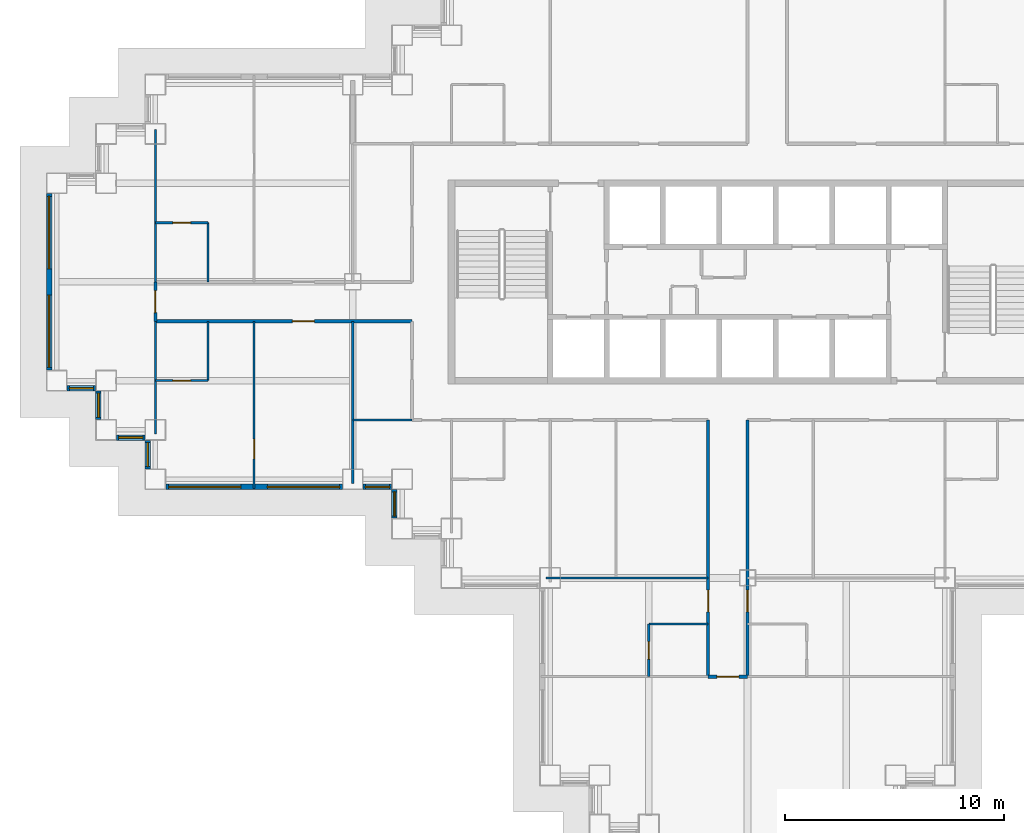
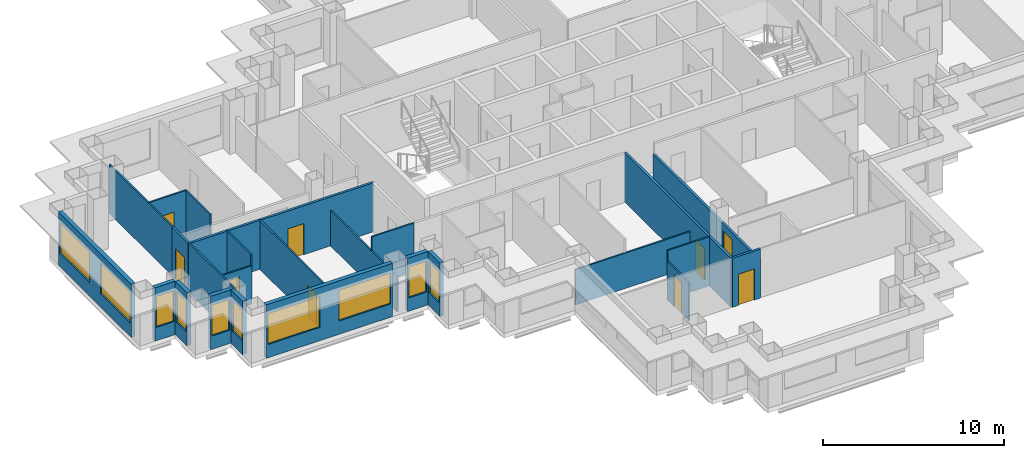
# One storey, part 3 of 14: 25 walls, 10 windows, 9 doors, 19 openings.
"""IFC4 building model written with IfcOpenShell, lengths in metres."""

import ifcopenshell
import ifcopenshell.guid

model = None  # the IFC model being written
_history = None  # IfcOwnerHistory: only IFC2X3 demands one
_inside = {}  # id of a spatial element -> (the spatial element, [elements in it])
_under = {}  # id of a project, library or spatial element -> (it, [spatial elements below it])
_declared = {}  # id of a project -> (the project, [libraries it declares])
_typed = {}  # id of a type object -> (the type object, [elements of that type])
_made_of = {}  # id of a material, layer set ... -> (it, [elements and type objects made of it])


def new_model(schema):
    """Start an empty IFC model of exactly this schema.

    Asked for "IFC4X3", IfcOpenShell would pick the latest addendum, in which some entities
    have other attributes; the version numbers below select the first issue.
    IFC2X3 requires an IfcOwnerHistory on every rooted entity: one is made here for all.
    """
    global model, _history
    if schema == "IFC4X3":
        model = ifcopenshell.file(schema_version=(4, 3, 0, 0))
    else:
        model = ifcopenshell.file(schema=schema)
    _inside.clear()
    _under.clear()
    _declared.clear()
    _typed.clear()
    _made_of.clear()
    _history = None
    if model.schema == "IFC2X3":
        org = make("IfcOrganization", Name="unknown")
        user = make(
            "IfcPersonAndOrganization",
            ThePerson=make("IfcPerson", FamilyName="unknown"),
            TheOrganization=org,
        )
        app = make(
            "IfcApplication",
            ApplicationDeveloper=org,
            Version="unknown",
            ApplicationFullName="unknown",
            ApplicationIdentifier="unknown",
        )
        _history = make(
            "IfcOwnerHistory",
            OwningUser=user,
            OwningApplication=app,
            ChangeAction="ADDED",
            CreationDate=0,
        )
    return model


def make(cls, **values):
    """One entity of the class cls with the attributes given. An attribute that is None is left unset."""
    return model.create_entity(
        cls, **{name: value for name, value in values.items() if value is not None}
    )


def rooted(cls, **values):
    """An entity with a GlobalId (a new one), such as an element, a storey or a relation."""
    return make(cls, GlobalId=ifcopenshell.guid.new(), OwnerHistory=_history, **values)


def si_unit(unit_type, name, prefix=None):
    """IfcSIUnit, for example si_unit("LENGTHUNIT", "METRE", prefix="MILLI")."""
    return make("IfcSIUnit", UnitType=unit_type, Prefix=prefix, Name=name)


def assignment(units):
    """IfcUnitAssignment: the units of a project."""
    return None if units is None else make("IfcUnitAssignment", Units=units)


def point(xyz):
    """IfcCartesianPoint."""
    return None if xyz is None else make("IfcCartesianPoint", Coordinates=xyz)


def direction(xyz):
    """IfcDirection."""
    return None if xyz is None else make("IfcDirection", DirectionRatios=xyz)


def frame(location, z_axis=None, x_axis=None):
    """IfcAxis2Placement3D, a coordinate frame: its origin and axes. An axis left out is left unset."""
    return make(
        "IfcAxis2Placement3D",
        Location=point(location),
        Axis=direction(z_axis),
        RefDirection=direction(x_axis),
    )


def frame_2d(location, x_axis=None):
    """IfcAxis2Placement2D, a coordinate frame in the plane: its origin and x axis."""
    return make(
        "IfcAxis2Placement2D", Location=point(location), RefDirection=direction(x_axis)
    )


def origin():
    """The frame at (0, 0, 0) with its axes left unset."""
    return frame((0.0, 0.0, 0.0))


def place(relative_to, where):
    """IfcLocalPlacement: puts the frame where relative to a parent placement (None: the world)."""
    return make(
        "IfcLocalPlacement", PlacementRelTo=relative_to, RelativePlacement=where
    )


def context(
    kind, dimensions, precision=None, world=None, true_north=None, identifier=None
):
    """IfcGeometricRepresentationContext, for example the 3D "Model" context."""
    return make(
        "IfcGeometricRepresentationContext",
        ContextIdentifier=identifier,
        ContextType=kind,
        CoordinateSpaceDimension=dimensions,
        Precision=precision,
        WorldCoordinateSystem=world,
        TrueNorth=true_north,
    )


def subcontext(parent, identifier, kind, view, scale=None):
    """IfcGeometricRepresentationSubContext, for example "Body" below "Model"."""
    return make(
        "IfcGeometricRepresentationSubContext",
        ContextIdentifier=identifier,
        ContextType=kind,
        ParentContext=parent,
        TargetScale=scale,
        TargetView=view,
    )


def project(units=None, contexts=None):
    """IfcProject with its units and contexts."""
    return rooted(
        "IfcProject",
        Name="project",
        RepresentationContexts=contexts,
        UnitsInContext=assignment(units),
    )


def spatial(cls, under=None, at=None, **own):
    """A site, building, storey or space (cls), placed at a placement, below another one or the project."""
    s = rooted(cls, ObjectPlacement=at, **own)
    if under is not None:
        _under.setdefault(under.id(), (under, []))[1].append(s)
    return s


def profile(cls, at=None, kind="AREA", **sizes):
    """A parametric profile (cls). Its sizes go by their IFC names, for example OverallWidth=200.0."""
    return make(cls, ProfileType=kind, Position=at, **sizes)


def rectangle(**sizes):
    """IfcRectangleProfileDef."""
    return profile("IfcRectangleProfileDef", **sizes)


def extrude(swept, where, along, depth):
    """IfcExtrudedAreaSolid: the profile swept, set in the frame where, extruded along a direction by depth."""
    return make(
        "IfcExtrudedAreaSolid",
        SweptArea=swept,
        Position=where,
        ExtrudedDirection=direction(along),
        Depth=depth,
    )


def shape(context_of_items, identifier, shape_type, items):
    """IfcShapeRepresentation: the items that make up one representation, for example the "Body"."""
    return make(
        "IfcShapeRepresentation",
        ContextOfItems=context_of_items,
        RepresentationIdentifier=identifier,
        RepresentationType=shape_type,
        Items=items,
    )


def material(Name=None, Category=None):
    """IfcMaterial."""
    return make("IfcMaterial", Name=Name, Category=Category)


def layer(
    of_material, thickness, ventilated=None, Name=None, Category=None, Priority=None
):
    """IfcMaterialLayer: one layer of a wall or slab, of a material (None: an air gap)."""
    return make(
        "IfcMaterialLayer",
        Material=of_material,
        LayerThickness=thickness,
        IsVentilated=ventilated,
        Name=Name,
        Category=Category,
        Priority=Priority,
    )


def layer_set(layers, Name=None):
    """IfcMaterialLayerSet."""
    return make("IfcMaterialLayerSet", MaterialLayers=layers, LayerSetName=Name)


def made_of(thing, what):
    """Note that an element or type object is made of a material, layer set ...; save() writes the relation."""
    if what is not None:
        _made_of.setdefault(what.id(), (what, []))[1].append(thing)
    return thing


def type_object(cls, material=None, **own):
    """A type object (cls), such as IfcWallType, which elements share."""
    return made_of(rooted(cls, **own), material)


def element(
    cls,
    number,
    at=None,
    inside=None,
    cuts=None,
    type_object=None,
    material=None,
    context=None,
    identifier="Body",
    shape_type=None,
    held_by="IfcProductDefinitionShape",
    body=None,
    shapes=None,
    **own,
):
    """One element of the class cls, such as IfcWall. Its Tag is "e" and its number.

    at: its placement. inside: the storey or other place that contains it. cuts: it is an
    opening in that element (IfcRelVoidsElement). A single representation is given by context,
    identifier, shape_type and body (its items); several are given by shapes. held_by: the class
    of the entity that holds the representations. save() writes the other relations.
    """
    e = rooted(cls, Tag="e%d" % number, ObjectPlacement=at, **own)
    if body is not None:
        shapes = [shape(context, identifier, shape_type, body)]
    if shapes is not None:
        e.Representation = make(held_by, Representations=shapes)
    if inside is not None:
        _inside.setdefault(inside.id(), (inside, []))[1].append(e)
    if cuts is not None:
        rooted(
            "IfcRelVoidsElement", RelatingBuildingElement=cuts, RelatedOpeningElement=e
        )
    if type_object is not None:
        _typed.setdefault(type_object.id(), (type_object, []))[1].append(e)
    return made_of(e, material)


def fill(opening, filler):
    """IfcRelFillsElement: the door or window that sits in an opening."""
    return rooted(
        "IfcRelFillsElement",
        RelatingOpeningElement=opening,
        RelatedBuildingElement=filler,
    )


def aggregate(whole, parts):
    """IfcRelAggregates: a whole, such as a stair, and the parts it consists of."""
    return rooted("IfcRelAggregates", RelatingObject=whole, RelatedObjects=parts)


def save(model, path):
    """Write the relations noted so far, then the file.

    IfcRelAggregates (storeys below a building ...), IfcRelContainedInSpatialStructure (elements
    in a storey), IfcRelDefinesByType, IfcRelAssociatesMaterial and IfcRelDeclares: one each for
    every whole, place, type object, material and project.
    """
    for whole, parts in _under.values():
        aggregate(whole, parts)
    for where, things in _inside.values():
        rooted(
            "IfcRelContainedInSpatialStructure",
            RelatedElements=things,
            RelatingStructure=where,
        )
    for kind, things in _typed.values():
        rooted("IfcRelDefinesByType", RelatedObjects=things, RelatingType=kind)
    for what, things in _made_of.values():
        rooted("IfcRelAssociatesMaterial", RelatedObjects=things, RelatingMaterial=what)
    for by, libraries in _declared.values():
        rooted("IfcRelDeclares", RelatingContext=by, RelatedDefinitions=libraries)
    model.write(path)


model = new_model("IFC4")

# Units and contexts
model_context = context("Model", 3, precision=1e-05, world=origin(), true_north=direction((0.0, 1.0)))
body_context = subcontext(model_context, "Body", "Model", "MODEL_VIEW")
ifc_project = project(units=[si_unit("LENGTHUNIT", "METRE"), si_unit("AREAUNIT", "SQUARE_METRE"), si_unit("VOLUMEUNIT", "CUBIC_METRE"), si_unit("PLANEANGLEUNIT", "RADIAN"), si_unit("MASSUNIT", "GRAM", prefix="KILO")], contexts=[model_context])

# Site, building, storey
site_placement = place(None, origin())
site = spatial("IfcSite", under=ifc_project, at=site_placement, CompositionType="ELEMENT")
building_placement = place(site_placement, origin())
building = spatial("IfcBuilding", under=site, at=building_placement, Name="Caravel Reach Hotel and Residences", CompositionType="ELEMENT")
storey_placement = place(building_placement, frame((0.0, 0.0, 88.800048828125)))
storey = spatial("IfcBuildingStorey", under=building, at=storey_placement, Name="L21", CompositionType="ELEMENT", Elevation=88.800048828125)

# Wall
ifc_material_1 = material(Name="Gypsum board on steel stud", Category="steel")
ifc_layer_1 = layer(ifc_material_1, 0.10009765625)
ifc_layer_set_1 = layer_set([ifc_layer_1], Name="Bathroom pod wall 100 mm")
wall_type_1 = type_object("IfcWallType", Name="Bathroom pod wall 100 mm", PredefinedType="PARTITIONING", material=ifc_layer_set_1)
wall_1_placement = place(storey_placement, frame((27.0, 11.39990234375, 0.0), z_axis=(0.0, 0.0, 1.0), x_axis=(1.0, 0.0, 0.0)))
element("IfcWall", 1, at=wall_1_placement, inside=storey, type_object=wall_type_1, Name="L21 wall w072", PredefinedType="PARTITIONING", context=body_context, shape_type="SweptSolid", body=[
    extrude(rectangle(XDim=2.699951171875, YDim=0.10009765625, at=frame_2d((1.35009765625, 0.0))), origin(), (0.0, 0.0, 1.0), 3.300048828125),
])

# Wall, opening, door
wall_2_placement = place(storey_placement, frame((4.5, 22.5, 0.0), z_axis=(0.0, 0.0, 1.0), x_axis=(1.0, 0.0, 0.0)))
wall_2 = element("IfcWall", 2, at=wall_2_placement, inside=storey, type_object=wall_type_1, Name="L21 wall w075", PredefinedType="PARTITIONING", context=body_context, shape_type="SweptSolid", body=[
    extrude(rectangle(XDim=2.39990234375, YDim=0.10009765625, at=frame_2d((1.199951171875, 0.0))), origin(), (0.0, 0.0, 1.0), 2.579833984375),
])
opening_1_placement = place(wall_2_placement, frame((0.800048828125, 0.0, 0.0)))
opening_1 = element("IfcOpeningElement", 3, at=opening_1_placement, cuts=wall_2, Name="Opening D21-018", PredefinedType="OPENING", context=body_context, shape_type="SweptSolid", body=[
    extrude(rectangle(XDim=0.800048828125, YDim=2.10009765625, at=frame_2d((0.39990234375, 1.050048828125))), frame((0.0, 0.06005859375, 0.0), z_axis=(0.0, -1.0, 0.0), x_axis=(1.0, 0.0, 0.0)), (0.0, 0.0, 1.0), 0.1201171875),
])
ifc_material_2 = material(Name="Timber and steel door leaf", Category="steel")
door_type_1 = type_object("IfcDoorType", Name="Bathroom door 800 x 2100", OperationType="SINGLE_SWING_LEFT", PredefinedType="DOOR", material=ifc_material_2)
door_1_placement = place(opening_1_placement, origin())
door_1 = element("IfcDoor", 4, at=door_1_placement, inside=storey, type_object=door_type_1, Name="door D21-018", OperationType="SINGLE_SWING_RIGHT", OverallHeight=2.10009765625, OverallWidth=0.800048828125, PredefinedType="DOOR", context=body_context, shape_type="SweptSolid", body=[
    extrude(rectangle(XDim=0.800048828125, YDim=2.10009765625, at=frame_2d((0.39990234375, 1.050048828125))), frame((0.0, 0.02490234375, 0.0), z_axis=(0.0, -1.0, 0.0), x_axis=(1.0, 0.0, 0.0)), (0.0, 0.0, 1.0), 0.050048828125),
])
fill(opening_1, door_1)

wall_3_placement = place(storey_placement, frame((4.5, 29.699951171875, 0.0), z_axis=(0.0, 0.0, 1.0), x_axis=(1.0, 0.0, 0.0)))
wall_3 = element("IfcWall", 5, at=wall_3_placement, inside=storey, type_object=wall_type_1, Name="L21 wall w077", PredefinedType="PARTITIONING", context=body_context, shape_type="SweptSolid", body=[
    extrude(rectangle(XDim=2.39990234375, YDim=0.10009765625, at=frame_2d((1.199951171875, 0.0))), origin(), (0.0, 0.0, 1.0), 3.300048828125),
])
opening_2_placement = place(wall_3_placement, frame((0.800048828125, 0.0, 0.0)))
opening_2 = element("IfcOpeningElement", 6, at=opening_2_placement, cuts=wall_3, Name="Opening D21-021", PredefinedType="OPENING", context=body_context, shape_type="SweptSolid", body=[
    extrude(rectangle(XDim=0.800048828125, YDim=2.10009765625, at=frame_2d((0.39990234375, 1.050048828125))), frame((0.0, 0.06005859375, 0.0), z_axis=(0.0, -1.0, 0.0), x_axis=(1.0, 0.0, 0.0)), (0.0, 0.0, 1.0), 0.1201171875),
])
door_2_placement = place(opening_2_placement, origin())
door_2 = element("IfcDoor", 7, at=door_2_placement, inside=storey, type_object=door_type_1, Name="door D21-021", OperationType="SINGLE_SWING_RIGHT", OverallHeight=2.10009765625, OverallWidth=0.800048828125, PredefinedType="DOOR", context=body_context, shape_type="SweptSolid", body=[
    extrude(rectangle(XDim=0.800048828125, YDim=2.10009765625, at=frame_2d((0.39990234375, 1.050048828125))), frame((0.0, 0.02490234375, 0.0), z_axis=(0.0, -1.0, 0.0), x_axis=(1.0, 0.0, 0.0)), (0.0, 0.0, 1.0), 0.050048828125),
])
fill(opening_2, door_2)

wall_4_placement = place(storey_placement, frame((27.0, 9.0, 0.0), z_axis=(0.0, 0.0, 1.0), x_axis=(0.0, 1.0, 0.0)))
wall_4 = element("IfcWall", 8, at=wall_4_placement, inside=storey, type_object=wall_type_1, Name="L21 wall w086", PredefinedType="PARTITIONING", context=body_context, shape_type="SweptSolid", body=[
    extrude(rectangle(XDim=2.39990234375, YDim=0.10009765625, at=frame_2d((1.199951171875, 0.0))), origin(), (0.0, 0.0, 1.0), 2.579833984375),
])
opening_3_placement = place(wall_4_placement, frame((0.800048828125, 0.0, 0.0)))
opening_3 = element("IfcOpeningElement", 9, at=opening_3_placement, cuts=wall_4, Name="Opening D21-031", PredefinedType="OPENING", context=body_context, shape_type="SweptSolid", body=[
    extrude(rectangle(XDim=0.800048828125, YDim=2.10009765625, at=frame_2d((0.39990234375, 1.050048828125))), frame((0.0, 0.06005859375, 0.0), z_axis=(0.0, -1.0, 0.0), x_axis=(1.0, 0.0, 0.0)), (0.0, 0.0, 1.0), 0.1201171875),
])
door_3_placement = place(opening_3_placement, origin())
door_3 = element("IfcDoor", 10, at=door_3_placement, inside=storey, type_object=door_type_1, Name="door D21-031", OperationType="SINGLE_SWING_RIGHT", OverallHeight=2.10009765625, OverallWidth=0.800048828125, PredefinedType="DOOR", context=body_context, shape_type="SweptSolid", body=[
    extrude(rectangle(XDim=0.800048828125, YDim=2.10009765625, at=frame_2d((0.39990234375, 1.050048828125))), frame((0.0, 0.02490234375, 0.0), z_axis=(0.0, -1.0, 0.0), x_axis=(1.0, 0.0, 0.0)), (0.0, 0.0, 1.0), 0.050048828125),
])
fill(opening_3, door_3)

# Walls
for number, where, z_axis, x_axis, name in (
    (11, (6.89990234375, 27.0, 0.0), (0.0, 0.0, 1.0), (0.0, 1.0, 0.0), "L21 wall w094"),
    (12, (6.89990234375, 22.5, 0.0), (0.0, 0.0, 1.0), (0.0, 1.0, 0.0), "L21 wall w095"),
):
    element("IfcWall", number, at=place(storey_placement, frame(where, z_axis=z_axis, x_axis=x_axis)), inside=storey, type_object=wall_type_1, Name=name, PredefinedType="PARTITIONING", context=body_context, shape_type="SweptSolid", body=[
        extrude(rectangle(XDim=2.699951171875, YDim=0.10009765625, at=frame_2d((1.35009765625, 0.0))), origin(), (0.0, 0.0, 1.0), 3.300048828125),
    ])

# Wall, opening, door
ifc_material_3 = material(Name="Gypsum board on steel stud, fire-rated", Category="steel")
ifc_layer_2 = layer(ifc_material_3, 0.14990234375)
ifc_layer_set_2 = layer_set([ifc_layer_2], Name="Corridor wall 150 mm EI 60")
wall_type_2 = type_object("IfcWallType", Name="Corridor wall 150 mm EI 60", PredefinedType="PARTITIONING", material=ifc_layer_set_2)
wall_5_placement = place(storey_placement, frame((4.5, 25.199951171875, 0.0), z_axis=(0.0, 0.0, 1.0), x_axis=(1.0, 0.0, 0.0)))
wall_5 = element("IfcWall", 13, at=wall_5_placement, inside=storey, type_object=wall_type_2, Name="L21 wall w009", PredefinedType="PARTITIONING", context=body_context, shape_type="SweptSolid", body=[
    extrude(rectangle(XDim=11.699951171875, YDim=0.14990234375, at=frame_2d((5.85009765625, 0.0))), origin(), (0.0, 0.0, 1.0), 3.300048828125),
])
opening_4_placement = place(wall_5_placement, frame((6.25, 0.0, 0.0)))
opening_4 = element("IfcOpeningElement", 14, at=opening_4_placement, cuts=wall_5, Name="Opening D21-016", PredefinedType="OPENING", context=body_context, shape_type="SweptSolid", body=[
    extrude(rectangle(XDim=1.0, YDim=2.10009765625, at=frame_2d((0.5, 1.050048828125))), frame((0.0, 0.0849609375, 0.0), z_axis=(0.0, -1.0, 0.0), x_axis=(1.0, 0.0, 0.0)), (0.0, 0.0, 1.0), 0.169921875),
])
ifc_material_4 = material(Name="Steel fire door leaf", Category="steel")
door_type_2 = type_object("IfcDoorType", Name="Guest room door 1000 x 2100 EI 30", OperationType="SINGLE_SWING_LEFT", PredefinedType="DOOR", material=ifc_material_4)
door_4_placement = place(opening_4_placement, origin())
door_4 = element("IfcDoor", 15, at=door_4_placement, inside=storey, type_object=door_type_2, Name="door D21-016", OperationType="SINGLE_SWING_RIGHT", OverallHeight=2.10009765625, OverallWidth=1.0, PredefinedType="DOOR", context=body_context, shape_type="SweptSolid", body=[
    extrude(rectangle(XDim=1.0, YDim=2.10009765625, at=frame_2d((0.5, 1.050048828125))), frame((0.0, 0.02490234375, 0.0), z_axis=(0.0, -1.0, 0.0), x_axis=(1.0, 0.0, 0.0)), (0.0, 0.0, 1.0), 0.050048828125),
])
fill(opening_4, door_4)

wall_6_placement = place(storey_placement, frame((29.699951171875, 9.0, 0.0), z_axis=(0.0, 0.0, 1.0), x_axis=(1.0, 0.0, 0.0)))
wall_6 = element("IfcWall", 16, at=wall_6_placement, inside=storey, type_object=wall_type_2, Name="L21 wall w023", PredefinedType="PARTITIONING", context=body_context, shape_type="SweptSolid", body=[
    extrude(rectangle(XDim=1.800048828125, YDim=0.14990234375, at=frame_2d((0.89990234375, 0.0))), origin(), (0.0, 0.0, 1.0), 3.300048828125),
])
opening_5_placement = place(wall_6_placement, frame((0.39990234375, 0.0, 0.0)))
opening_5 = element("IfcOpeningElement", 17, at=opening_5_placement, cuts=wall_6, Name="Opening D21-037", PredefinedType="OPENING", context=body_context, shape_type="SweptSolid", body=[
    extrude(rectangle(XDim=1.0, YDim=2.10009765625, at=frame_2d((0.5, 1.050048828125))), frame((0.0, 0.0849609375, 0.0), z_axis=(0.0, -1.0, 0.0), x_axis=(1.0, 0.0, 0.0)), (0.0, 0.0, 1.0), 0.169921875),
])
door_5_placement = place(opening_5_placement, origin())
door_5 = element("IfcDoor", 18, at=door_5_placement, inside=storey, type_object=door_type_2, Name="door D21-037", OperationType="SINGLE_SWING_RIGHT", OverallHeight=2.10009765625, OverallWidth=1.0, PredefinedType="DOOR", context=body_context, shape_type="SweptSolid", body=[
    extrude(rectangle(XDim=1.0, YDim=2.10009765625, at=frame_2d((0.5, 1.050048828125))), frame((0.0, 0.02490234375, 0.0), z_axis=(0.0, -1.0, 0.0), x_axis=(1.0, 0.0, 0.0)), (0.0, 0.0, 1.0), 0.050048828125),
])
fill(opening_5, door_5)

wall_7_placement = place(storey_placement, frame((29.699951171875, 9.0, 0.0), z_axis=(0.0, 0.0, 1.0), x_axis=(0.0, 1.0, 0.0)))
wall_7 = element("IfcWall", 19, at=wall_7_placement, inside=storey, type_object=wall_type_2, Name="L21 wall w026", PredefinedType="PARTITIONING", context=body_context, shape_type="SweptSolid", body=[
    extrude(rectangle(XDim=11.699951171875, YDim=0.14990234375, at=frame_2d((5.85009765625, 0.0))), origin(), (0.0, 0.0, 1.0), 3.300048828125),
])
opening_6_placement = place(wall_7_placement, frame((2.949951171875, 0.0, 0.0)))
opening_6 = element("IfcOpeningElement", 20, at=opening_6_placement, cuts=wall_7, Name="Opening D21-030", PredefinedType="OPENING", context=body_context, shape_type="SweptSolid", body=[
    extrude(rectangle(XDim=1.0, YDim=2.10009765625, at=frame_2d((0.5, 1.050048828125))), frame((0.0, 0.0849609375, 0.0), z_axis=(0.0, -1.0, 0.0), x_axis=(1.0, 0.0, 0.0)), (0.0, 0.0, 1.0), 0.169921875),
])
door_6_placement = place(opening_6_placement, origin())
door_6 = element("IfcDoor", 21, at=door_6_placement, inside=storey, type_object=door_type_2, Name="door D21-030", OperationType="SINGLE_SWING_RIGHT", OverallHeight=2.10009765625, OverallWidth=1.0, PredefinedType="DOOR", context=body_context, shape_type="SweptSolid", body=[
    extrude(rectangle(XDim=1.0, YDim=2.10009765625, at=frame_2d((0.5, 1.050048828125))), frame((0.0, 0.02490234375, 0.0), z_axis=(0.0, -1.0, 0.0), x_axis=(1.0, 0.0, 0.0)), (0.0, 0.0, 1.0), 0.050048828125),
])
fill(opening_6, door_6)

wall_8_placement = place(storey_placement, frame((31.5, 9.0, 0.0), z_axis=(0.0, 0.0, 1.0), x_axis=(0.0, 1.0, 0.0)))
wall_8 = element("IfcWall", 22, at=wall_8_placement, inside=storey, type_object=wall_type_2, Name="L21 wall w029", PredefinedType="PARTITIONING", context=body_context, shape_type="SweptSolid", body=[
    extrude(rectangle(XDim=11.699951171875, YDim=0.14990234375, at=frame_2d((5.85009765625, 0.0))), origin(), (0.0, 0.0, 1.0), 2.579833984375),
])
opening_7_placement = place(wall_8_placement, frame((2.949951171875, 0.0, 0.0)))
opening_7 = element("IfcOpeningElement", 23, at=opening_7_placement, cuts=wall_8, Name="Opening D21-032", PredefinedType="OPENING", context=body_context, shape_type="SweptSolid", body=[
    extrude(rectangle(XDim=1.0, YDim=2.10009765625, at=frame_2d((0.5, 1.050048828125))), frame((0.0, 0.0849609375, 0.0), z_axis=(0.0, -1.0, 0.0), x_axis=(1.0, 0.0, 0.0)), (0.0, 0.0, 1.0), 0.169921875),
])
door_7_placement = place(opening_7_placement, origin())
door_7 = element("IfcDoor", 24, at=door_7_placement, inside=storey, type_object=door_type_2, Name="door D21-032", OperationType="SINGLE_SWING_RIGHT", OverallHeight=2.10009765625, OverallWidth=1.0, PredefinedType="DOOR", context=body_context, shape_type="SweptSolid", body=[
    extrude(rectangle(XDim=1.0, YDim=2.10009765625, at=frame_2d((0.5, 1.050048828125))), frame((0.0, 0.02490234375, 0.0), z_axis=(0.0, -1.0, 0.0), x_axis=(1.0, 0.0, 0.0)), (0.0, 0.0, 1.0), 0.050048828125),
])
fill(opening_7, door_7)

wall_9_placement = place(storey_placement, frame((4.5, 25.199951171875, 0.0), z_axis=(0.0, 0.0, 1.0), x_axis=(0.0, 1.0, 0.0)))
wall_9 = element("IfcWall", 25, at=wall_9_placement, inside=storey, type_object=wall_type_2, Name="L21 wall w034", PredefinedType="PARTITIONING", context=body_context, shape_type="SweptSolid", body=[
    extrude(rectangle(XDim=1.800048828125, YDim=0.14990234375, at=frame_2d((0.89990234375, 0.0))), origin(), (0.0, 0.0, 1.0), 3.300048828125),
])
opening_8_placement = place(wall_9_placement, frame((0.39990234375, 0.0, 0.0)))
opening_8 = element("IfcOpeningElement", 26, at=opening_8_placement, cuts=wall_9, Name="Opening D21-034", PredefinedType="OPENING", context=body_context, shape_type="SweptSolid", body=[
    extrude(rectangle(XDim=1.0, YDim=2.10009765625, at=frame_2d((0.5, 1.050048828125))), frame((0.0, 0.0849609375, 0.0), z_axis=(0.0, -1.0, 0.0), x_axis=(1.0, 0.0, 0.0)), (0.0, 0.0, 1.0), 0.169921875),
])
door_8_placement = place(opening_8_placement, origin())
door_8 = element("IfcDoor", 27, at=door_8_placement, inside=storey, type_object=door_type_2, Name="door D21-034", OperationType="SINGLE_SWING_LEFT", OverallHeight=2.10009765625, OverallWidth=1.0, PredefinedType="DOOR", context=body_context, shape_type="SweptSolid", body=[
    extrude(rectangle(XDim=1.0, YDim=2.10009765625, at=frame_2d((0.5, 1.050048828125))), frame((0.0, 0.02490234375, 0.0), z_axis=(0.0, -1.0, 0.0), x_axis=(1.0, 0.0, 0.0)), (0.0, 0.0, 1.0), 0.050048828125),
])
fill(opening_8, door_8)

# Wall, openings, windows
ifc_material_5 = material(Name="Insulated rainscreen wall, aluminium cladding", Category="aluminium")
ifc_layer_3 = layer(ifc_material_5, 0.25)
ifc_layer_set_3 = layer_set([ifc_layer_3], Name="EW1 Tower rainscreen wall")
wall_type_3 = type_object("IfcWallType", Name="EW1 Tower rainscreen wall", PredefinedType="SOLIDWALL", material=ifc_layer_set_3)
wall_10_placement = place(storey_placement, frame((-0.35009765625, 31.02490234375, 0.0), z_axis=(0.0, 0.0, 1.0), x_axis=(0.0, -1.0, 0.0)))
wall_10 = element("IfcWall", 28, at=wall_10_placement, inside=storey, type_object=wall_type_3, Name="External wall L21 W50.1", PredefinedType="SOLIDWALL", context=body_context, shape_type="SweptSolid", body=[
    extrude(rectangle(XDim=8.0498046875, YDim=0.25, at=frame_2d((4.02490234375, 0.0))), origin(), (0.0, 0.0, 1.0), 3.599853515625),
])
opening_9_placement = place(wall_10_placement, frame((0.125, 0.0, 0.89990234375)))
opening_9 = element("IfcOpeningElement", 29, at=opening_9_placement, cuts=wall_10, Name="Opening WN4", PredefinedType="OPENING", context=body_context, shape_type="SweptSolid", body=[
    extrude(rectangle(XDim=3.300048828125, YDim=2.080078125, at=frame_2d((1.64990234375, 1.0400390625))), frame((0.0, 0.135009765625, 0.0), z_axis=(0.0, -1.0, 0.0), x_axis=(1.0, 0.0, 0.0)), (0.0, 0.0, 1.0), 0.27001953125),
])
opening_10_placement = place(wall_10_placement, frame((4.625, 0.0, 0.89990234375)))
opening_10 = element("IfcOpeningElement", 30, at=opening_10_placement, cuts=wall_10, Name="Opening WN4", PredefinedType="OPENING", context=body_context, shape_type="SweptSolid", body=[
    extrude(rectangle(XDim=3.300048828125, YDim=2.080078125, at=frame_2d((1.64990234375, 1.0400390625))), frame((0.0, 0.135009765625, 0.0), z_axis=(0.0, -1.0, 0.0), x_axis=(1.0, 0.0, 0.0)), (0.0, 0.0, 1.0), 0.27001953125),
])
ifc_material_6 = material(Name="Dark low-e glazing in black aluminium frame", Category="aluminium")
window_type_1 = type_object("IfcWindowType", Name="Hotel guest room window 3300 x 2080", PartitioningType="SINGLE_PANEL", PredefinedType="WINDOW", material=ifc_material_6)
window_1_placement = place(opening_9_placement, origin())
window_1 = element("IfcWindow", 31, at=window_1_placement, inside=storey, type_object=window_type_1, Name="Window L21 W50.1.1", OverallHeight=2.080078125, OverallWidth=3.300048828125, PartitioningType="SINGLE_PANEL", PredefinedType="WINDOW", context=body_context, shape_type="SweptSolid", body=[
    extrude(rectangle(XDim=3.300048828125, YDim=2.080078125, at=frame_2d((1.64990234375, 1.0400390625))), frame((0.0, 0.030029296875, 0.0), z_axis=(0.0, -1.0, 0.0), x_axis=(1.0, 0.0, 0.0)), (0.0, 0.0, 1.0), 0.06005859375),
])
fill(opening_9, window_1)
window_2_placement = place(opening_10_placement, origin())
window_2 = element("IfcWindow", 32, at=window_2_placement, inside=storey, type_object=window_type_1, Name="Window L21 W50.1.2", OverallHeight=2.080078125, OverallWidth=3.300048828125, PartitioningType="SINGLE_PANEL", PredefinedType="WINDOW", context=body_context, shape_type="SweptSolid", body=[
    extrude(rectangle(XDim=3.300048828125, YDim=2.080078125, at=frame_2d((1.64990234375, 1.0400390625))), frame((0.0, 0.030029296875, 0.0), z_axis=(0.0, -1.0, 0.0), x_axis=(1.0, 0.0, 0.0)), (0.0, 0.0, 1.0), 0.06005859375),
])
fill(opening_10, window_2)

# Wall, opening, window
wall_11_placement = place(storey_placement, frame((0.47509765625, 22.14990234375, 0.0), z_axis=(0.0, 0.0, 1.0), x_axis=(1.0, 0.0, 0.0)))
wall_11 = element("IfcWall", 33, at=wall_11_placement, inside=storey, type_object=wall_type_3, Name="External wall L21 S51.1", PredefinedType="SOLIDWALL", context=body_context, shape_type="SweptSolid", body=[
    extrude(rectangle(XDim=1.2998046875, YDim=0.25, at=frame_2d((0.64990234375, 0.0))), origin(), (0.0, 0.0, 1.0), 3.599853515625),
])
opening_11_placement = place(wall_11_placement, frame((0.10009765625, 0.0, 0.89990234375)))
opening_11 = element("IfcOpeningElement", 34, at=opening_11_placement, cuts=wall_11, Name="Opening WN5", PredefinedType="OPENING", context=body_context, shape_type="SweptSolid", body=[
    extrude(rectangle(XDim=1.10009765625, YDim=2.080078125, at=frame_2d((0.550048828125, 1.0400390625))), frame((0.0, 0.135009765625, 0.0), z_axis=(0.0, -1.0, 0.0), x_axis=(1.0, 0.0, 0.0)), (0.0, 0.0, 1.0), 0.27001953125),
])
ifc_material_7 = material(Name="Dark low-e glazing in black aluminium frame", Category="aluminium")
window_type_2 = type_object("IfcWindowType", Name="Hotel suite corner window 1100 x 2080", PartitioningType="SINGLE_PANEL", PredefinedType="WINDOW", material=ifc_material_7)
window_3_placement = place(opening_11_placement, origin())
window_3 = element("IfcWindow", 35, at=window_3_placement, inside=storey, type_object=window_type_2, Name="Window L21 S51.1.1", OverallHeight=2.080078125, OverallWidth=1.10009765625, PartitioningType="SINGLE_PANEL", PredefinedType="WINDOW", context=body_context, shape_type="SweptSolid", body=[
    extrude(rectangle(XDim=1.10009765625, YDim=2.080078125, at=frame_2d((0.550048828125, 1.0400390625))), frame((0.0, 0.030029296875, 0.0), z_axis=(0.0, -1.0, 0.0), x_axis=(1.0, 0.0, 0.0)), (0.0, 0.0, 1.0), 0.06005859375),
])
fill(opening_11, window_3)

wall_12_placement = place(storey_placement, frame((1.89990234375, 22.02490234375, 0.0), z_axis=(0.0, 0.0, 1.0), x_axis=(0.0, -1.0, 0.0)))
wall_12 = element("IfcWall", 36, at=wall_12_placement, inside=storey, type_object=wall_type_3, Name="External wall L21 W52.1", PredefinedType="SOLIDWALL", context=body_context, shape_type="SweptSolid", body=[
    extrude(rectangle(XDim=1.2998046875, YDim=0.25, at=frame_2d((0.64990234375, 0.0))), origin(), (0.0, 0.0, 1.0), 3.599853515625),
])
opening_12_placement = place(wall_12_placement, frame((0.10009765625, 0.0, 0.89990234375)))
opening_12 = element("IfcOpeningElement", 37, at=opening_12_placement, cuts=wall_12, Name="Opening WN5", PredefinedType="OPENING", context=body_context, shape_type="SweptSolid", body=[
    extrude(rectangle(XDim=1.10009765625, YDim=2.080078125, at=frame_2d((0.550048828125, 1.0400390625))), frame((0.0, 0.135009765625, 0.0), z_axis=(0.0, -1.0, 0.0), x_axis=(1.0, 0.0, 0.0)), (0.0, 0.0, 1.0), 0.27001953125),
])
window_4_placement = place(opening_12_placement, origin())
window_4 = element("IfcWindow", 38, at=window_4_placement, inside=storey, type_object=window_type_2, Name="Window L21 W52.1.1", OverallHeight=2.080078125, OverallWidth=1.10009765625, PartitioningType="SINGLE_PANEL", PredefinedType="WINDOW", context=body_context, shape_type="SweptSolid", body=[
    extrude(rectangle(XDim=1.10009765625, YDim=2.080078125, at=frame_2d((0.550048828125, 1.0400390625))), frame((0.0, 0.030029296875, 0.0), z_axis=(0.0, -1.0, 0.0), x_axis=(1.0, 0.0, 0.0)), (0.0, 0.0, 1.0), 0.06005859375),
])
fill(opening_12, window_4)

wall_13_placement = place(storey_placement, frame((2.72509765625, 19.89990234375, 0.0), z_axis=(0.0, 0.0, 1.0), x_axis=(1.0, 0.0, 0.0)))
wall_13 = element("IfcWall", 39, at=wall_13_placement, inside=storey, type_object=wall_type_3, Name="External wall L21 S53.1", PredefinedType="SOLIDWALL", context=body_context, shape_type="SweptSolid", body=[
    extrude(rectangle(XDim=1.2998046875, YDim=0.25, at=frame_2d((0.64990234375, 0.0))), origin(), (0.0, 0.0, 1.0), 3.599853515625),
])
opening_13_placement = place(wall_13_placement, frame((0.10009765625, 0.0, 0.89990234375)))
opening_13 = element("IfcOpeningElement", 40, at=opening_13_placement, cuts=wall_13, Name="Opening WN5", PredefinedType="OPENING", context=body_context, shape_type="SweptSolid", body=[
    extrude(rectangle(XDim=1.10009765625, YDim=2.080078125, at=frame_2d((0.550048828125, 1.0400390625))), frame((0.0, 0.135009765625, 0.0), z_axis=(0.0, -1.0, 0.0), x_axis=(1.0, 0.0, 0.0)), (0.0, 0.0, 1.0), 0.27001953125),
])
window_5_placement = place(opening_13_placement, origin())
window_5 = element("IfcWindow", 41, at=window_5_placement, inside=storey, type_object=window_type_2, Name="Window L21 S53.1.1", OverallHeight=2.080078125, OverallWidth=1.10009765625, PartitioningType="SINGLE_PANEL", PredefinedType="WINDOW", context=body_context, shape_type="SweptSolid", body=[
    extrude(rectangle(XDim=1.10009765625, YDim=2.080078125, at=frame_2d((0.550048828125, 1.0400390625))), frame((0.0, 0.030029296875, 0.0), z_axis=(0.0, -1.0, 0.0), x_axis=(1.0, 0.0, 0.0)), (0.0, 0.0, 1.0), 0.06005859375),
])
fill(opening_13, window_5)

wall_14_placement = place(storey_placement, frame((4.14990234375, 19.77490234375, 0.0), z_axis=(0.0, 0.0, 1.0), x_axis=(0.0, -1.0, 0.0)))
wall_14 = element("IfcWall", 42, at=wall_14_placement, inside=storey, type_object=wall_type_3, Name="External wall L21 W54.1", PredefinedType="SOLIDWALL", context=body_context, shape_type="SweptSolid", body=[
    extrude(rectangle(XDim=1.2998046875, YDim=0.25, at=frame_2d((0.64990234375, 0.0))), origin(), (0.0, 0.0, 1.0), 3.599853515625),
])
opening_14_placement = place(wall_14_placement, frame((0.10009765625, 0.0, 0.89990234375)))
opening_14 = element("IfcOpeningElement", 43, at=opening_14_placement, cuts=wall_14, Name="Opening WN5", PredefinedType="OPENING", context=body_context, shape_type="SweptSolid", body=[
    extrude(rectangle(XDim=1.10009765625, YDim=2.080078125, at=frame_2d((0.550048828125, 1.0400390625))), frame((0.0, 0.135009765625, 0.0), z_axis=(0.0, -1.0, 0.0), x_axis=(1.0, 0.0, 0.0)), (0.0, 0.0, 1.0), 0.27001953125),
])
window_6_placement = place(opening_14_placement, origin())
window_6 = element("IfcWindow", 44, at=window_6_placement, inside=storey, type_object=window_type_2, Name="Window L21 W54.1.1", OverallHeight=2.080078125, OverallWidth=1.10009765625, PartitioningType="SINGLE_PANEL", PredefinedType="WINDOW", context=body_context, shape_type="SweptSolid", body=[
    extrude(rectangle(XDim=1.10009765625, YDim=2.080078125, at=frame_2d((0.550048828125, 1.0400390625))), frame((0.0, 0.030029296875, 0.0), z_axis=(0.0, -1.0, 0.0), x_axis=(1.0, 0.0, 0.0)), (0.0, 0.0, 1.0), 0.06005859375),
])
fill(opening_14, window_6)

# Wall, openings, windows
wall_15_placement = place(storey_placement, frame((4.97509765625, 17.64990234375, 0.0), z_axis=(0.0, 0.0, 1.0), x_axis=(1.0, 0.0, 0.0)))
wall_15 = element("IfcWall", 45, at=wall_15_placement, inside=storey, type_object=wall_type_3, Name="External wall L21 S55.1", PredefinedType="SOLIDWALL", context=body_context, shape_type="SweptSolid", body=[
    extrude(rectangle(XDim=8.0498046875, YDim=0.25, at=frame_2d((4.02490234375, 0.0))), origin(), (0.0, 0.0, 1.0), 3.599853515625),
])
opening_15_placement = place(wall_15_placement, frame((0.125, 0.0, 0.89990234375)))
opening_15 = element("IfcOpeningElement", 46, at=opening_15_placement, cuts=wall_15, Name="Opening WN4", PredefinedType="OPENING", context=body_context, shape_type="SweptSolid", body=[
    extrude(rectangle(XDim=3.300048828125, YDim=2.080078125, at=frame_2d((1.64990234375, 1.0400390625))), frame((0.0, 0.135009765625, 0.0), z_axis=(0.0, -1.0, 0.0), x_axis=(1.0, 0.0, 0.0)), (0.0, 0.0, 1.0), 0.27001953125),
])
opening_16_placement = place(wall_15_placement, frame((4.625, 0.0, 0.89990234375)))
opening_16 = element("IfcOpeningElement", 47, at=opening_16_placement, cuts=wall_15, Name="Opening WN4", PredefinedType="OPENING", context=body_context, shape_type="SweptSolid", body=[
    extrude(rectangle(XDim=3.300048828125, YDim=2.080078125, at=frame_2d((1.64990234375, 1.0400390625))), frame((0.0, 0.135009765625, 0.0), z_axis=(0.0, -1.0, 0.0), x_axis=(1.0, 0.0, 0.0)), (0.0, 0.0, 1.0), 0.27001953125),
])
window_7_placement = place(opening_15_placement, origin())
window_7 = element("IfcWindow", 48, at=window_7_placement, inside=storey, type_object=window_type_1, Name="Window L21 S55.1.1", OverallHeight=2.080078125, OverallWidth=3.300048828125, PartitioningType="SINGLE_PANEL", PredefinedType="WINDOW", context=body_context, shape_type="SweptSolid", body=[
    extrude(rectangle(XDim=3.300048828125, YDim=2.080078125, at=frame_2d((1.64990234375, 1.0400390625))), frame((0.0, 0.030029296875, 0.0), z_axis=(0.0, -1.0, 0.0), x_axis=(1.0, 0.0, 0.0)), (0.0, 0.0, 1.0), 0.06005859375),
])
fill(opening_15, window_7)
window_8_placement = place(opening_16_placement, origin())
window_8 = element("IfcWindow", 49, at=window_8_placement, inside=storey, type_object=window_type_1, Name="Window L21 S55.1.2", OverallHeight=2.080078125, OverallWidth=3.300048828125, PartitioningType="SINGLE_PANEL", PredefinedType="WINDOW", context=body_context, shape_type="SweptSolid", body=[
    extrude(rectangle(XDim=3.300048828125, YDim=2.080078125, at=frame_2d((1.64990234375, 1.0400390625))), frame((0.0, 0.030029296875, 0.0), z_axis=(0.0, -1.0, 0.0), x_axis=(1.0, 0.0, 0.0)), (0.0, 0.0, 1.0), 0.06005859375),
])
fill(opening_16, window_8)

# Wall, opening, window
wall_16_placement = place(storey_placement, frame((13.97509765625, 17.64990234375, 0.0), z_axis=(0.0, 0.0, 1.0), x_axis=(1.0, 0.0, 0.0)))
wall_16 = element("IfcWall", 50, at=wall_16_placement, inside=storey, type_object=wall_type_3, Name="External wall L21 S55.2", PredefinedType="SOLIDWALL", context=body_context, shape_type="SweptSolid", body=[
    extrude(rectangle(XDim=1.2998046875, YDim=0.25, at=frame_2d((0.64990234375, 0.0))), origin(), (0.0, 0.0, 1.0), 3.599853515625),
])
opening_17_placement = place(wall_16_placement, frame((0.10009765625, 0.0, 0.89990234375)))
opening_17 = element("IfcOpeningElement", 51, at=opening_17_placement, cuts=wall_16, Name="Opening WN5", PredefinedType="OPENING", context=body_context, shape_type="SweptSolid", body=[
    extrude(rectangle(XDim=1.10009765625, YDim=2.080078125, at=frame_2d((0.550048828125, 1.0400390625))), frame((0.0, 0.135009765625, 0.0), z_axis=(0.0, -1.0, 0.0), x_axis=(1.0, 0.0, 0.0)), (0.0, 0.0, 1.0), 0.27001953125),
])
window_9_placement = place(opening_17_placement, origin())
window_9 = element("IfcWindow", 52, at=window_9_placement, inside=storey, type_object=window_type_2, Name="Window L21 S55.2.1", OverallHeight=2.080078125, OverallWidth=1.10009765625, PartitioningType="SINGLE_PANEL", PredefinedType="WINDOW", context=body_context, shape_type="SweptSolid", body=[
    extrude(rectangle(XDim=1.10009765625, YDim=2.080078125, at=frame_2d((0.550048828125, 1.0400390625))), frame((0.0, 0.030029296875, 0.0), z_axis=(0.0, -1.0, 0.0), x_axis=(1.0, 0.0, 0.0)), (0.0, 0.0, 1.0), 0.06005859375),
])
fill(opening_17, window_9)

wall_17_placement = place(storey_placement, frame((15.39990234375, 17.52490234375, 0.0), z_axis=(0.0, 0.0, 1.0), x_axis=(0.0, -1.0, 0.0)))
wall_17 = element("IfcWall", 53, at=wall_17_placement, inside=storey, type_object=wall_type_3, Name="External wall L21 W56.1", PredefinedType="SOLIDWALL", context=body_context, shape_type="SweptSolid", body=[
    extrude(rectangle(XDim=1.2998046875, YDim=0.25, at=frame_2d((0.64990234375, 0.0))), origin(), (0.0, 0.0, 1.0), 3.599853515625),
])
opening_18_placement = place(wall_17_placement, frame((0.10009765625, 0.0, 0.89990234375)))
opening_18 = element("IfcOpeningElement", 54, at=opening_18_placement, cuts=wall_17, Name="Opening WN5", PredefinedType="OPENING", context=body_context, shape_type="SweptSolid", body=[
    extrude(rectangle(XDim=1.10009765625, YDim=2.080078125, at=frame_2d((0.550048828125, 1.0400390625))), frame((0.0, 0.135009765625, 0.0), z_axis=(0.0, -1.0, 0.0), x_axis=(1.0, 0.0, 0.0)), (0.0, 0.0, 1.0), 0.27001953125),
])
window_10_placement = place(opening_18_placement, origin())
window_10 = element("IfcWindow", 55, at=window_10_placement, inside=storey, type_object=window_type_2, Name="Window L21 W56.1.1", OverallHeight=2.080078125, OverallWidth=1.10009765625, PartitioningType="SINGLE_PANEL", PredefinedType="WINDOW", context=body_context, shape_type="SweptSolid", body=[
    extrude(rectangle(XDim=1.10009765625, YDim=2.080078125, at=frame_2d((0.550048828125, 1.0400390625))), frame((0.0, 0.030029296875, 0.0), z_axis=(0.0, -1.0, 0.0), x_axis=(1.0, 0.0, 0.0)), (0.0, 0.0, 1.0), 0.06005859375),
])
fill(opening_18, window_10)

# Walls
ifc_material_8 = material(Name="Gypsum board on steel stud", Category="steel")
ifc_layer_4 = layer(ifc_material_8, 0.10009765625)
ifc_layer_set_4 = layer_set([ifc_layer_4], Name="Partition 100 mm")
wall_type_4 = type_object("IfcWallType", Name="Partition 100 mm", PredefinedType="PARTITIONING", material=ifc_layer_set_4)
wall_18_placement = place(storey_placement, frame((22.31005859375, 13.5, 0.0), z_axis=(0.0, 0.0, 1.0), x_axis=(1.0, 0.0, 0.0)))
element("IfcWall", 56, at=wall_18_placement, inside=storey, type_object=wall_type_4, Name="L21 wall w040", PredefinedType="PARTITIONING", context=body_context, shape_type="SweptSolid", body=[
    extrude(rectangle(XDim=7.389892578125, YDim=0.10009765625, at=frame_2d((3.69482421875, 0.0))), origin(), (0.0, 0.0, 1.0), 2.3798828125),
])
wall_19_placement = place(storey_placement, frame((13.5, 20.699951171875, 0.0), z_axis=(0.0, 0.0, 1.0), x_axis=(1.0, 0.0, 0.0)))
element("IfcWall", 57, at=wall_19_placement, inside=storey, type_object=wall_type_4, Name="L21 wall w042", PredefinedType="PARTITIONING", context=body_context, shape_type="SweptSolid", body=[
    extrude(rectangle(XDim=2.699951171875, YDim=0.10009765625, at=frame_2d((1.35009765625, 0.0))), origin(), (0.0, 0.0, 1.0), 3.300048828125),
])
wall_20_placement = place(storey_placement, frame((13.5, 17.81005859375, 0.0), z_axis=(0.0, 0.0, 1.0), x_axis=(0.0, 1.0, 0.0)))
element("IfcWall", 58, at=wall_20_placement, inside=storey, type_object=wall_type_4, Name="L21 wall w053", PredefinedType="PARTITIONING", context=body_context, shape_type="SweptSolid", body=[
    extrude(rectangle(XDim=7.389892578125, YDim=0.10009765625, at=frame_2d((3.69482421875, 0.0))), origin(), (0.0, 0.0, 1.0), 2.3798828125),
])
wall_21_placement = place(storey_placement, frame((4.5, 27.0, 0.0), z_axis=(0.0, 0.0, 1.0), x_axis=(0.0, 1.0, 0.0)))
element("IfcWall", 59, at=wall_21_placement, inside=storey, type_object=wall_type_4, Name="L21 wall w059", PredefinedType="PARTITIONING", context=body_context, shape_type="SweptSolid", body=[
    extrude(rectangle(XDim=6.93994140625, YDim=0.10009765625, at=frame_2d((3.469970703125, 0.0))), origin(), (0.0, 0.0, 1.0), 3.300048828125),
])
wall_22_placement = place(storey_placement, frame((4.5, 20.06005859375, 0.0), z_axis=(0.0, 0.0, 1.0), x_axis=(0.0, 1.0, 0.0)))
element("IfcWall", 60, at=wall_22_placement, inside=storey, type_object=wall_type_4, Name="L21 wall w060", PredefinedType="PARTITIONING", context=body_context, shape_type="SweptSolid", body=[
    extrude(rectangle(XDim=5.139892578125, YDim=0.10009765625, at=frame_2d((2.56982421875, 0.0))), origin(), (0.0, 0.0, 1.0), 3.300048828125),
])

# Wall, opening, door
wall_23_placement = place(storey_placement, frame((9.0, 17.5849609375, 0.0), z_axis=(0.0, 0.0, 1.0), x_axis=(0.0, 1.0, 0.0)))
wall_23 = element("IfcWall", 61, at=wall_23_placement, inside=storey, type_object=wall_type_4, Name="L21 wall w068", PredefinedType="PARTITIONING", context=body_context, shape_type="SweptSolid", body=[
    extrude(rectangle(XDim=7.614990234375, YDim=0.10009765625, at=frame_2d((3.8076171875, 0.0))), origin(), (0.0, 0.0, 1.0), 3.300048828125),
])
opening_19_placement = place(wall_23_placement, frame((1.35009765625, 0.0, 0.0)))
opening_19 = element("IfcOpeningElement", 62, at=opening_19_placement, cuts=wall_23, Name="Opening D21-017", PredefinedType="OPENING", context=body_context, shape_type="SweptSolid", body=[
    extrude(rectangle(XDim=0.89990234375, YDim=2.10009765625, at=frame_2d((0.449951171875, 1.050048828125))), frame((0.0, 0.06005859375, 0.0), z_axis=(0.0, -1.0, 0.0), x_axis=(1.0, 0.0, 0.0)), (0.0, 0.0, 1.0), 0.1201171875),
])
ifc_material_9 = material(Name="Timber and steel door leaf", Category="steel")
door_type_3 = type_object("IfcDoorType", Name="Door 900 x 2100 timber", OperationType="SINGLE_SWING_LEFT", PredefinedType="DOOR", material=ifc_material_9)
door_9_placement = place(opening_19_placement, origin())
door_9 = element("IfcDoor", 63, at=door_9_placement, inside=storey, type_object=door_type_3, Name="door D21-017", OperationType="SINGLE_SWING_LEFT", OverallHeight=2.10009765625, OverallWidth=0.89990234375, PredefinedType="DOOR", context=body_context, shape_type="SweptSolid", body=[
    extrude(rectangle(XDim=0.89990234375, YDim=2.10009765625, at=frame_2d((0.449951171875, 1.050048828125))), frame((0.0, 0.02490234375, 0.0), z_axis=(0.0, -1.0, 0.0), x_axis=(1.0, 0.0, 0.0)), (0.0, 0.0, 1.0), 0.050048828125),
])
fill(opening_19, door_9)

save(model, "model.ifc")
